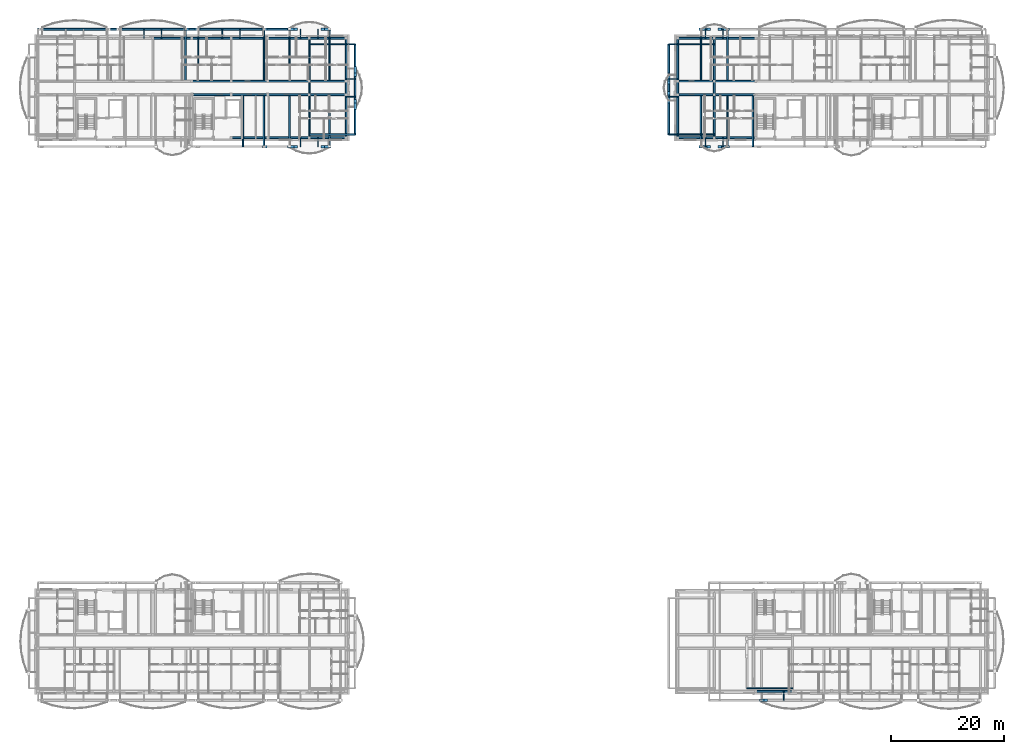
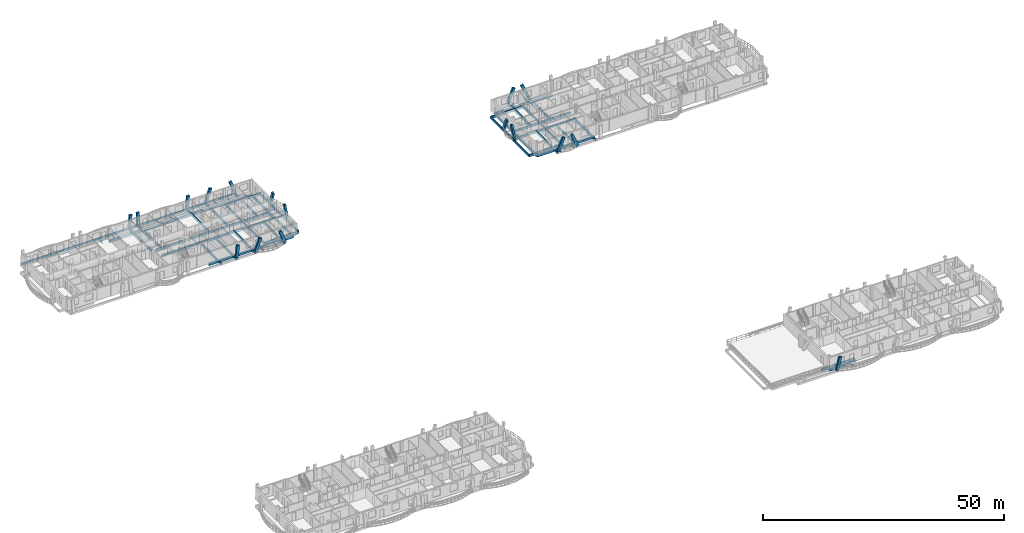
# One storey, part 5 of 48: 76 beams, 17 members.
"""IFC4 building model written with IfcOpenShell, lengths in metres."""

from ifc_helpers import new_model, si_unit, direction, frame, origin, origin_2d, place, context, subcontext, project, spatial, rectangle, i_section, extrude, material, material_profile, profile_set, type_object, element, save


model = new_model("IFC4")

# Units and contexts
model_context = context("Model", 3, precision=1e-05, world=origin(), true_north=direction((0.0, 1.0)))
body_context = subcontext(model_context, "Body", "Model", "MODEL_VIEW")
ifc_project = project(units=[si_unit("LENGTHUNIT", "METRE"), si_unit("AREAUNIT", "SQUARE_METRE"), si_unit("VOLUMEUNIT", "CUBIC_METRE"), si_unit("PLANEANGLEUNIT", "RADIAN"), si_unit("MASSUNIT", "GRAM", prefix="KILO")], contexts=[model_context])

# Site, building, storey
site_placement = place(None, origin())
site = spatial("IfcSite", under=ifc_project, at=site_placement, CompositionType="ELEMENT")
building_placement = place(site_placement, origin())
building = spatial("IfcBuilding", under=site, at=building_placement, Name="Zavelmont Quarter", CompositionType="ELEMENT")
storey_placement = place(building_placement, frame((0.0, 0.0, 17.60009765625)))
storey = spatial("IfcBuildingStorey", under=building, at=storey_placement, Name="L05", CompositionType="ELEMENT", Elevation=17.60009765625)

# Beams
ifc_material_1 = material(Name="Concrete C35/45", Category="concrete")
ifc_material_profile_1 = material_profile(ifc_material_1, rectangle(XDim=0.35009765625, YDim=0.60009765625, at=origin_2d()), Name="RC350X600")
ifc_profile_set_1 = profile_set([ifc_material_profile_1], Name="Concrete C35/45")
beam_type_1 = type_object("IfcBeamType", Name="BM01", PredefinedType="SPANDREL", material=ifc_profile_set_1)
beam_1_placement = place(storey_placement, frame((34.5, 98.0400390625, -0.56005859375), z_axis=(1.0, 0.0, 0.0), x_axis=(0.0, 1.0, 0.0)))
element("IfcBeam", 1, at=beam_1_placement, inside=storey, type_object=beam_type_1, Name="L05 beam BM01 6/P to 7/P", PredefinedType="SPANDREL", context=body_context, shape_type="SweptSolid", body=[
    extrude(rectangle(XDim=0.35009765625, YDim=0.60009765625, at=origin_2d()), origin(), (0.0, 0.0, 1.0), 6.4599609375),
])
beam_2_placement = place(storey_placement, frame((40.9599609375, 98.0400390625, -0.56005859375), z_axis=(1.0, 0.0, 0.0), x_axis=(0.0, 1.0, 0.0)))
element("IfcBeam", 2, at=beam_2_placement, inside=storey, type_object=beam_type_1, Name="L05 beam BM01 7/P to 8/P", PredefinedType="SPANDREL", context=body_context, shape_type="SweptSolid", body=[
    extrude(rectangle(XDim=0.35009765625, YDim=0.60009765625, at=origin_2d()), origin(), (0.0, 0.0, 1.0), 7.340087890625),
])
beam_3_placement = place(storey_placement, frame((48.300048828125, 98.0400390625, -0.56005859375), z_axis=(1.0, 0.0, 0.0), x_axis=(0.0, 1.0, 0.0)))
element("IfcBeam", 3, at=beam_3_placement, inside=storey, type_object=beam_type_1, Name="L05 beam BM01 8/P to 9/P", PredefinedType="SPANDREL", context=body_context, shape_type="SweptSolid", body=[
    extrude(rectangle(XDim=0.35009765625, YDim=0.60009765625, at=origin_2d()), origin(), (0.0, 0.0, 1.0), 6.4599609375),
])
beam_4_placement = place(storey_placement, frame((20.699951171875, 115.56005859375, -0.56005859375), z_axis=(1.0, 0.0, 0.0), x_axis=(0.0, 1.0, 0.0)))
element("IfcBeam", 4, at=beam_4_placement, inside=storey, type_object=beam_type_1, Name="L05 beam BM01 4/S to 5/S", PredefinedType="SPANDREL", context=body_context, shape_type="SweptSolid", body=[
    extrude(rectangle(XDim=0.35009765625, YDim=0.60009765625, at=origin_2d()), origin(), (0.0, 0.0, 1.0), 6.900146484375),
])
beam_5_placement = place(storey_placement, frame((27.60009765625, 115.56005859375, -0.56005859375), z_axis=(1.0, 0.0, 0.0), x_axis=(0.0, 1.0, 0.0)))
element("IfcBeam", 5, at=beam_5_placement, inside=storey, type_object=beam_type_1, Name="L05 beam BM01 5/S to 6/S", PredefinedType="SPANDREL", context=body_context, shape_type="SweptSolid", body=[
    extrude(rectangle(XDim=0.35009765625, YDim=0.60009765625, at=origin_2d()), origin(), (0.0, 0.0, 1.0), 6.89990234375),
])
beam_6_placement = place(storey_placement, frame((34.5, 115.56005859375, -0.56005859375), z_axis=(1.0, 0.0, 0.0), x_axis=(0.0, 1.0, 0.0)))
element("IfcBeam", 6, at=beam_6_placement, inside=storey, type_object=beam_type_1, Name="L05 beam BM01 6/S to 7/S", PredefinedType="SPANDREL", context=body_context, shape_type="SweptSolid", body=[
    extrude(rectangle(XDim=0.35009765625, YDim=0.60009765625, at=origin_2d()), origin(), (0.0, 0.0, 1.0), 6.4599609375),
])
beam_7_placement = place(storey_placement, frame((40.9599609375, 115.56005859375, -0.56005859375), z_axis=(1.0, 0.0, 0.0), x_axis=(0.0, 1.0, 0.0)))
element("IfcBeam", 7, at=beam_7_placement, inside=storey, type_object=beam_type_1, Name="L05 beam BM01 7/S to 8/S", PredefinedType="SPANDREL", context=body_context, shape_type="SweptSolid", body=[
    extrude(rectangle(XDim=0.35009765625, YDim=0.60009765625, at=origin_2d()), origin(), (0.0, 0.0, 1.0), 7.340087890625),
])
for number, where, z_axis, x_axis, name in (
    (8, (48.300048828125, 115.56005859375, -0.56005859375), (1.0, 0.0, 0.0), (0.0, 1.0, 0.0), "L05 beam BM01 8/S to 9/S"),
    (9, (113.239990234375, 98.0400390625, -0.56005859375), (1.0, 0.0, 0.0), (0.0, 1.0, 0.0), "L05 beam BM01 17/P to 18/P"),
):
    element("IfcBeam", number, at=place(storey_placement, frame(where, z_axis=z_axis, x_axis=x_axis)), inside=storey, type_object=beam_type_1, Name=name, PredefinedType="SPANDREL", context=body_context, shape_type="SweptSolid", body=[
        extrude(rectangle(XDim=0.35009765625, YDim=0.60009765625, at=origin_2d()), origin(), (0.0, 0.0, 1.0), 6.4599609375),
    ])
beam_8_placement = place(storey_placement, frame((119.699951171875, 98.0400390625, -0.56005859375), z_axis=(1.0, 0.0, 0.0), x_axis=(0.0, 1.0, 0.0)))
element("IfcBeam", 10, at=beam_8_placement, inside=storey, type_object=beam_type_1, Name="L05 beam BM01 18/P to 19/P", PredefinedType="SPANDREL", context=body_context, shape_type="SweptSolid", body=[
    extrude(rectangle(XDim=0.35009765625, YDim=0.60009765625, at=origin_2d()), origin(), (0.0, 0.0, 1.0), 7.340087890625),
])
beam_9_placement = place(storey_placement, frame((113.239990234375, 115.56005859375, -0.56005859375), z_axis=(1.0, 0.0, 0.0), x_axis=(0.0, 1.0, 0.0)))
element("IfcBeam", 11, at=beam_9_placement, inside=storey, type_object=beam_type_1, Name="L05 beam BM01 17/S to 18/S", PredefinedType="SPANDREL", context=body_context, shape_type="SweptSolid", body=[
    extrude(rectangle(XDim=0.35009765625, YDim=0.60009765625, at=origin_2d()), origin(), (0.0, 0.0, 1.0), 6.4599609375),
])
beam_10_placement = place(storey_placement, frame((119.699951171875, 115.56005859375, -0.56005859375), z_axis=(1.0, 0.0, 0.0), x_axis=(0.0, 1.0, 0.0)))
element("IfcBeam", 12, at=beam_10_placement, inside=storey, type_object=beam_type_1, Name="L05 beam BM01 18/S to 19/S", PredefinedType="SPANDREL", context=body_context, shape_type="SweptSolid", body=[
    extrude(rectangle(XDim=0.35009765625, YDim=0.60009765625, at=origin_2d()), origin(), (0.0, 0.0, 1.0), 7.340087890625),
])
beam_11_placement = place(storey_placement, frame((127.0400390625, 0.43994140625, -0.56005859375), z_axis=(1.0, 0.0, 0.0), x_axis=(0.0, 1.0, 0.0)))
element("IfcBeam", 13, at=beam_11_placement, inside=storey, type_object=beam_type_1, Name="L05 beam BM01 19/A to 20/A", PredefinedType="SPANDREL", context=body_context, shape_type="SweptSolid", body=[
    extrude(rectangle(XDim=0.35009765625, YDim=0.60009765625, at=origin_2d()), origin(), (0.0, 0.0, 1.0), 6.4599609375),
])
ifc_material_profile_2 = material_profile(ifc_material_1, rectangle(XDim=0.300048828125, YDim=0.550048828125, at=origin_2d()), Name="RC300X550")
ifc_profile_set_2 = profile_set([ifc_material_profile_2], Name="Concrete C35/45")
beam_type_2 = type_object("IfcBeamType", Name="BM02", PredefinedType="SPANDREL", material=ifc_profile_set_2)
beam_12_placement = place(storey_placement, frame((27.60009765625, 105.60009765625, -0.53515625), z_axis=(1.0, 0.0, 0.0), x_axis=(0.0, 1.0, 0.0)))
element("IfcBeam", 14, at=beam_12_placement, inside=storey, type_object=beam_type_2, Name="L05 beam BM02 5/Q to 6/Q", PredefinedType="SPANDREL", context=body_context, shape_type="SweptSolid", body=[
    extrude(rectangle(XDim=0.300048828125, YDim=0.550048828125, at=origin_2d()), origin(), (0.0, 0.0, 1.0), 6.89990234375),
])
beam_13_placement = place(storey_placement, frame((34.5, 105.60009765625, -0.53515625), z_axis=(1.0, 0.0, 0.0), x_axis=(0.0, 1.0, 0.0)))
element("IfcBeam", 15, at=beam_13_placement, inside=storey, type_object=beam_type_2, Name="L05 beam BM02 6/Q to 7/Q", PredefinedType="SPANDREL", context=body_context, shape_type="SweptSolid", body=[
    extrude(rectangle(XDim=0.300048828125, YDim=0.550048828125, at=origin_2d()), origin(), (0.0, 0.0, 1.0), 6.4599609375),
])
beam_14_placement = place(storey_placement, frame((40.9599609375, 105.60009765625, -0.53515625), z_axis=(1.0, 0.0, 0.0), x_axis=(0.0, 1.0, 0.0)))
element("IfcBeam", 16, at=beam_14_placement, inside=storey, type_object=beam_type_2, Name="L05 beam BM02 7/Q to 8/Q", PredefinedType="SPANDREL", context=body_context, shape_type="SweptSolid", body=[
    extrude(rectangle(XDim=0.300048828125, YDim=0.550048828125, at=origin_2d()), origin(), (0.0, 0.0, 1.0), 7.340087890625),
])
beam_15_placement = place(storey_placement, frame((48.300048828125, 105.60009765625, -0.53515625), z_axis=(1.0, 0.0, 0.0), x_axis=(0.0, 1.0, 0.0)))
element("IfcBeam", 17, at=beam_15_placement, inside=storey, type_object=beam_type_2, Name="L05 beam BM02 8/Q to 9/Q", PredefinedType="SPANDREL", context=body_context, shape_type="SweptSolid", body=[
    extrude(rectangle(XDim=0.300048828125, YDim=0.550048828125, at=origin_2d()), origin(), (0.0, 0.0, 1.0), 6.4599609375),
])
beam_16_placement = place(storey_placement, frame((27.60009765625, 108.0, -0.53515625), z_axis=(1.0, 0.0, 0.0), x_axis=(0.0, 1.0, 0.0)))
element("IfcBeam", 18, at=beam_16_placement, inside=storey, type_object=beam_type_2, Name="L05 beam BM02 5/R to 6/R", PredefinedType="SPANDREL", context=body_context, shape_type="SweptSolid", body=[
    extrude(rectangle(XDim=0.300048828125, YDim=0.550048828125, at=origin_2d()), origin(), (0.0, 0.0, 1.0), 6.89990234375),
])
beam_17_placement = place(storey_placement, frame((34.5, 108.0, -0.53515625), z_axis=(1.0, 0.0, 0.0), x_axis=(0.0, 1.0, 0.0)))
element("IfcBeam", 19, at=beam_17_placement, inside=storey, type_object=beam_type_2, Name="L05 beam BM02 6/R to 7/R", PredefinedType="SPANDREL", context=body_context, shape_type="SweptSolid", body=[
    extrude(rectangle(XDim=0.300048828125, YDim=0.550048828125, at=origin_2d()), origin(), (0.0, 0.0, 1.0), 6.4599609375),
])
beam_18_placement = place(storey_placement, frame((40.9599609375, 108.0, -0.53515625), z_axis=(1.0, 0.0, 0.0), x_axis=(0.0, 1.0, 0.0)))
element("IfcBeam", 20, at=beam_18_placement, inside=storey, type_object=beam_type_2, Name="L05 beam BM02 7/R to 8/R", PredefinedType="SPANDREL", context=body_context, shape_type="SweptSolid", body=[
    extrude(rectangle(XDim=0.300048828125, YDim=0.550048828125, at=origin_2d()), origin(), (0.0, 0.0, 1.0), 7.340087890625),
])
beam_19_placement = place(storey_placement, frame((48.300048828125, 108.0, -0.53515625), z_axis=(1.0, 0.0, 0.0), x_axis=(0.0, 1.0, 0.0)))
element("IfcBeam", 21, at=beam_19_placement, inside=storey, type_object=beam_type_2, Name="L05 beam BM02 8/R to 9/R", PredefinedType="SPANDREL", context=body_context, shape_type="SweptSolid", body=[
    extrude(rectangle(XDim=0.300048828125, YDim=0.550048828125, at=origin_2d()), origin(), (0.0, 0.0, 1.0), 6.4599609375),
])
beam_20_placement = place(storey_placement, frame((48.300048828125, 98.0400390625, -0.53515625), z_axis=(0.0, 1.0, 0.0), x_axis=(-1.0, 0.0, 0.0)))
element("IfcBeam", 22, at=beam_20_placement, inside=storey, type_object=beam_type_2, Name="L05 beam BM02 8/P to 8/Q", PredefinedType="SPANDREL", context=body_context, shape_type="SweptSolid", body=[
    extrude(rectangle(XDim=0.300048828125, YDim=0.550048828125, at=origin_2d()), origin(), (0.0, 0.0, 1.0), 7.56005859375),
])
beam_21_placement = place(storey_placement, frame((48.300048828125, 105.60009765625, -0.53515625), z_axis=(0.0, 1.0, 0.0), x_axis=(-1.0, 0.0, 0.0)))
element("IfcBeam", 23, at=beam_21_placement, inside=storey, type_object=beam_type_2, Name="L05 beam BM02 8/Q to 8/R", PredefinedType="SPANDREL", context=body_context, shape_type="SweptSolid", body=[
    extrude(rectangle(XDim=0.300048828125, YDim=0.550048828125, at=origin_2d()), origin(), (0.0, 0.0, 1.0), 2.39990234375),
])
for number, where, z_axis, x_axis, name in (
    (24, (48.300048828125, 108.0, -0.53515625), (0.0, 1.0, 0.0), (-1.0, 0.0, 0.0), "L05 beam BM02 8/R to 8/S"),
    (25, (54.760009765625, 98.0400390625, -0.53515625), (0.0, 1.0, 0.0), (-1.0, 0.0, 0.0), "L05 beam BM02 9/P to 9/Q"),
):
    element("IfcBeam", number, at=place(storey_placement, frame(where, z_axis=z_axis, x_axis=x_axis)), inside=storey, type_object=beam_type_2, Name=name, PredefinedType="SPANDREL", context=body_context, shape_type="SweptSolid", body=[
        extrude(rectangle(XDim=0.300048828125, YDim=0.550048828125, at=origin_2d()), origin(), (0.0, 0.0, 1.0), 7.56005859375),
    ])
beam_22_placement = place(storey_placement, frame((54.760009765625, 105.60009765625, -0.53515625), z_axis=(0.0, 1.0, 0.0), x_axis=(-1.0, 0.0, 0.0)))
element("IfcBeam", 26, at=beam_22_placement, inside=storey, type_object=beam_type_2, Name="L05 beam BM02 9/Q to 9/R", PredefinedType="SPANDREL", context=body_context, shape_type="SweptSolid", body=[
    extrude(rectangle(XDim=0.300048828125, YDim=0.550048828125, at=origin_2d()), origin(), (0.0, 0.0, 1.0), 2.39990234375),
])
beam_23_placement = place(storey_placement, frame((54.760009765625, 108.0, -0.53515625), z_axis=(0.0, 1.0, 0.0), x_axis=(-1.0, 0.0, 0.0)))
element("IfcBeam", 27, at=beam_23_placement, inside=storey, type_object=beam_type_2, Name="L05 beam BM02 9/R to 9/S", PredefinedType="SPANDREL", context=body_context, shape_type="SweptSolid", body=[
    extrude(rectangle(XDim=0.300048828125, YDim=0.550048828125, at=origin_2d()), origin(), (0.0, 0.0, 1.0), 7.56005859375),
])
beam_24_placement = place(storey_placement, frame((113.239990234375, 105.60009765625, -0.53515625), z_axis=(1.0, 0.0, 0.0), x_axis=(0.0, 1.0, 0.0)))
element("IfcBeam", 28, at=beam_24_placement, inside=storey, type_object=beam_type_2, Name="L05 beam BM02 17/Q to 18/Q", PredefinedType="SPANDREL", context=body_context, shape_type="SweptSolid", body=[
    extrude(rectangle(XDim=0.300048828125, YDim=0.550048828125, at=origin_2d()), origin(), (0.0, 0.0, 1.0), 6.4599609375),
])
beam_25_placement = place(storey_placement, frame((119.699951171875, 105.60009765625, -0.53515625), z_axis=(1.0, 0.0, 0.0), x_axis=(0.0, 1.0, 0.0)))
element("IfcBeam", 29, at=beam_25_placement, inside=storey, type_object=beam_type_2, Name="L05 beam BM02 18/Q to 19/Q", PredefinedType="SPANDREL", context=body_context, shape_type="SweptSolid", body=[
    extrude(rectangle(XDim=0.300048828125, YDim=0.550048828125, at=origin_2d()), origin(), (0.0, 0.0, 1.0), 7.340087890625),
])
beam_26_placement = place(storey_placement, frame((113.239990234375, 108.0, -0.53515625), z_axis=(1.0, 0.0, 0.0), x_axis=(0.0, 1.0, 0.0)))
element("IfcBeam", 30, at=beam_26_placement, inside=storey, type_object=beam_type_2, Name="L05 beam BM02 17/R to 18/R", PredefinedType="SPANDREL", context=body_context, shape_type="SweptSolid", body=[
    extrude(rectangle(XDim=0.300048828125, YDim=0.550048828125, at=origin_2d()), origin(), (0.0, 0.0, 1.0), 6.4599609375),
])
beam_27_placement = place(storey_placement, frame((119.699951171875, 108.0, -0.53515625), z_axis=(1.0, 0.0, 0.0), x_axis=(0.0, 1.0, 0.0)))
element("IfcBeam", 31, at=beam_27_placement, inside=storey, type_object=beam_type_2, Name="L05 beam BM02 18/R to 19/R", PredefinedType="SPANDREL", context=body_context, shape_type="SweptSolid", body=[
    extrude(rectangle(XDim=0.300048828125, YDim=0.550048828125, at=origin_2d()), origin(), (0.0, 0.0, 1.0), 7.340087890625),
])
beam_28_placement = place(storey_placement, frame((113.239990234375, 98.0400390625, -0.53515625), z_axis=(0.0, 1.0, 0.0), x_axis=(-1.0, 0.0, 0.0)))
element("IfcBeam", 32, at=beam_28_placement, inside=storey, type_object=beam_type_2, Name="L05 beam BM02 17/P to 17/Q", PredefinedType="SPANDREL", context=body_context, shape_type="SweptSolid", body=[
    extrude(rectangle(XDim=0.300048828125, YDim=0.550048828125, at=origin_2d()), origin(), (0.0, 0.0, 1.0), 7.56005859375),
])
beam_29_placement = place(storey_placement, frame((113.239990234375, 105.60009765625, -0.53515625), z_axis=(0.0, 1.0, 0.0), x_axis=(-1.0, 0.0, 0.0)))
element("IfcBeam", 33, at=beam_29_placement, inside=storey, type_object=beam_type_2, Name="L05 beam BM02 17/Q to 17/R", PredefinedType="SPANDREL", context=body_context, shape_type="SweptSolid", body=[
    extrude(rectangle(XDim=0.300048828125, YDim=0.550048828125, at=origin_2d()), origin(), (0.0, 0.0, 1.0), 2.39990234375),
])
for number, where, z_axis, x_axis, name in (
    (34, (113.239990234375, 108.0, -0.53515625), (0.0, 1.0, 0.0), (-1.0, 0.0, 0.0), "L05 beam BM02 17/R to 17/S"),
    (35, (119.699951171875, 98.0400390625, -0.53515625), (0.0, 1.0, 0.0), (-1.0, 0.0, 0.0), "L05 beam BM02 18/P to 18/Q"),
):
    element("IfcBeam", number, at=place(storey_placement, frame(where, z_axis=z_axis, x_axis=x_axis)), inside=storey, type_object=beam_type_2, Name=name, PredefinedType="SPANDREL", context=body_context, shape_type="SweptSolid", body=[
        extrude(rectangle(XDim=0.300048828125, YDim=0.550048828125, at=origin_2d()), origin(), (0.0, 0.0, 1.0), 7.56005859375),
    ])
beam_30_placement = place(storey_placement, frame((119.699951171875, 105.60009765625, -0.53515625), z_axis=(0.0, 1.0, 0.0), x_axis=(-1.0, 0.0, 0.0)))
element("IfcBeam", 36, at=beam_30_placement, inside=storey, type_object=beam_type_2, Name="L05 beam BM02 18/Q to 18/R", PredefinedType="SPANDREL", context=body_context, shape_type="SweptSolid", body=[
    extrude(rectangle(XDim=0.300048828125, YDim=0.550048828125, at=origin_2d()), origin(), (0.0, 0.0, 1.0), 2.39990234375),
])
beam_31_placement = place(storey_placement, frame((119.699951171875, 108.0, -0.53515625), z_axis=(0.0, 1.0, 0.0), x_axis=(-1.0, 0.0, 0.0)))
element("IfcBeam", 37, at=beam_31_placement, inside=storey, type_object=beam_type_2, Name="L05 beam BM02 18/R to 18/S", PredefinedType="SPANDREL", context=body_context, shape_type="SweptSolid", body=[
    extrude(rectangle(XDim=0.300048828125, YDim=0.550048828125, at=origin_2d()), origin(), (0.0, 0.0, 1.0), 7.56005859375),
])
ifc_material_profile_3 = material_profile(ifc_material_1, rectangle(XDim=0.300048828125, YDim=0.5, at=origin_2d()), Name="RC300X500")
ifc_profile_set_3 = profile_set([ifc_material_profile_3], Name="Concrete C35/45")
beam_type_3 = type_object("IfcBeamType", Name="BM03", PredefinedType="BEAM", material=ifc_profile_set_3)
beam_32_placement = place(storey_placement, frame((0.43994140625, 117.14990234375, -0.25), z_axis=(1.0, 0.0, 0.0), x_axis=(0.0, 1.0, 0.0)))
element("IfcBeam", 38, at=beam_32_placement, inside=storey, type_object=beam_type_3, Name="L05 beam BM03 1/S to 9/S", PredefinedType="BEAM", context=body_context, shape_type="SweptSolid", body=[
    extrude(rectangle(XDim=0.300048828125, YDim=0.5, at=origin_2d()), origin(), (0.0, 0.0, 1.0), 51.39404296875),
])
for number, where, z_axis, x_axis, name in (
    (39, (56.35009765625, 98.550048828125, -0.25), (0.0, 1.0, 0.0), (-1.0, 0.0, 0.0), "L05 beam BM03 9/P to 9/S"),
    (40, (111.64990234375, 98.550048828125, -0.25), (0.0, 1.0, 0.0), (-1.0, 0.0, 0.0), "L05 beam BM03 17/P to 17/S"),
):
    element("IfcBeam", number, at=place(storey_placement, frame(where, z_axis=z_axis, x_axis=x_axis)), inside=storey, type_object=beam_type_3, Name=name, PredefinedType="BEAM", context=body_context, shape_type="SweptSolid", body=[
        extrude(rectangle(XDim=0.300048828125, YDim=0.5, at=origin_2d()), origin(), (0.0, 0.0, 1.0), 15.949951171875),
    ])
ifc_material_2 = material(Name="Steel S355", Category="steel")
ifc_material_profile_4 = material_profile(ifc_material_2, i_section(OverallWidth=0.110107421875, OverallDepth=0.219970703125, WebThickness=0.005859375, FlangeThickness=0.00927734375, at=origin_2d()), Name="IPE 220")
ifc_profile_set_4 = profile_set([ifc_material_profile_4], Name="Steel S355")
beam_type_4 = type_object("IfcBeamType", Name="BM15", PredefinedType="JOIST", material=ifc_profile_set_4)
for number, where, z_axis, x_axis, name in (
    (41, (19.14990234375, 115.56005859375, -0.3720703125), (0.0, 1.0, 0.0), (-1.0, 0.0, 0.0), "L05 beam BM15 4/S to 4/S"),
    (42, (22.25, 115.56005859375, -0.3720703125), (0.0, 1.0, 0.0), (-1.0, 0.0, 0.0), "L05 beam BM15 4/S to 4/S"),
    (43, (32.949951171875, 115.56005859375, -0.3720703125), (0.0, 1.0, 0.0), (-1.0, 0.0, 0.0), "L05 beam BM15 6/S to 6/S"),
    (44, (36.050048828125, 115.56005859375, -0.3720703125), (0.0, 1.0, 0.0), (-1.0, 0.0, 0.0), "L05 beam BM15 6/S to 6/S"),
    (45, (46.75, 115.56005859375, -0.3720703125), (0.0, 1.0, 0.0), (-1.0, 0.0, 0.0), "L05 beam BM15 8/S to 8/S"),
    (46, (49.85009765625, 115.56005859375, -0.3720703125), (0.0, 1.0, 0.0), (-1.0, 0.0, 0.0), "L05 beam BM15 8/S to 8/S"),
):
    element("IfcBeam", number, at=place(storey_placement, frame(where, z_axis=z_axis, x_axis=x_axis)), inside=storey, type_object=beam_type_4, Name=name, PredefinedType="JOIST", context=body_context, shape_type="SweptSolid", body=[
        extrude(i_section(OverallWidth=0.110107421875, OverallDepth=0.219970703125, WebThickness=0.005859375, FlangeThickness=0.00927734375, at=origin_2d()), origin(), (0.0, 0.0, 1.0), 1.58984375),
    ])
for number, where, z_axis, x_axis, name in (
    (47, (54.760009765625, 105.25, -0.3720703125), (1.0, 0.0, 0.0), (0.0, 1.0, 0.0), "L05 beam BM15 9/Q to 9/Q"),
    (48, (54.760009765625, 108.35009765625, -0.3720703125), (1.0, 0.0, 0.0), (0.0, 1.0, 0.0), "L05 beam BM15 9/R to 9/R"),
    (49, (46.75, 98.0400390625, -0.3720703125), (0.0, -1.0, 0.0), (1.0, 0.0, 0.0), "L05 beam BM15 8/P to 8/P"),
    (50, (49.85009765625, 98.0400390625, -0.3720703125), (0.0, -1.0, 0.0), (1.0, 0.0, 0.0), "L05 beam BM15 8/P to 8/P"),
):
    element("IfcBeam", number, at=place(storey_placement, frame(where, z_axis=z_axis, x_axis=x_axis)), inside=storey, type_object=beam_type_4, Name=name, PredefinedType="JOIST", context=body_context, shape_type="SweptSolid", body=[
        extrude(i_section(OverallWidth=0.110107421875, OverallDepth=0.219970703125, WebThickness=0.005859375, FlangeThickness=0.00927734375, at=origin_2d()), origin(), (0.0, 0.0, 1.0), 1.590087890625),
    ])
for number, where, z_axis, x_axis, name in (
    (51, (118.14990234375, 115.56005859375, -0.3720703125), (0.0, 1.0, 0.0), (-1.0, 0.0, 0.0), "L05 beam BM15 18/S to 18/S"),
    (52, (121.25, 115.56005859375, -0.3720703125), (0.0, 1.0, 0.0), (-1.0, 0.0, 0.0), "L05 beam BM15 18/S to 18/S"),
):
    element("IfcBeam", number, at=place(storey_placement, frame(where, z_axis=z_axis, x_axis=x_axis)), inside=storey, type_object=beam_type_4, Name=name, PredefinedType="JOIST", context=body_context, shape_type="SweptSolid", body=[
        extrude(i_section(OverallWidth=0.110107421875, OverallDepth=0.219970703125, WebThickness=0.005859375, FlangeThickness=0.00927734375, at=origin_2d()), origin(), (0.0, 0.0, 1.0), 1.58984375),
    ])
for number, where, z_axis, x_axis, name in (
    (53, (113.239990234375, 105.25, -0.3720703125), (-1.0, 0.0, 0.0), (0.0, -1.0, 0.0), "L05 beam BM15 17/Q to 17/Q"),
    (54, (113.239990234375, 108.35009765625, -0.3720703125), (-1.0, 0.0, 0.0), (0.0, -1.0, 0.0), "L05 beam BM15 17/R to 17/R"),
    (55, (118.14990234375, 98.0400390625, -0.3720703125), (0.0, -1.0, 0.0), (1.0, 0.0, 0.0), "L05 beam BM15 18/P to 18/P"),
    (56, (121.25, 98.0400390625, -0.3720703125), (0.0, -1.0, 0.0), (1.0, 0.0, 0.0), "L05 beam BM15 18/P to 18/P"),
):
    element("IfcBeam", number, at=place(storey_placement, frame(where, z_axis=z_axis, x_axis=x_axis)), inside=storey, type_object=beam_type_4, Name=name, PredefinedType="JOIST", context=body_context, shape_type="SweptSolid", body=[
        extrude(i_section(OverallWidth=0.110107421875, OverallDepth=0.219970703125, WebThickness=0.005859375, FlangeThickness=0.00927734375, at=origin_2d()), origin(), (0.0, 0.0, 1.0), 1.590087890625),
    ])
beam_33_placement = place(storey_placement, frame((131.949951171875, 0.43994140625, -0.3720703125), z_axis=(0.0, -1.0, 0.0), x_axis=(1.0, 0.0, 0.0)))
element("IfcBeam", 57, at=beam_33_placement, inside=storey, type_object=beam_type_4, Name="L05 beam BM15 20/A to 20/A", PredefinedType="JOIST", context=body_context, shape_type="SweptSolid", body=[
    extrude(i_section(OverallWidth=0.110107421875, OverallDepth=0.219970703125, WebThickness=0.005859375, FlangeThickness=0.00927734375, at=origin_2d()), origin(), (0.0, 0.0, 1.0), 1.58984375),
])
ifc_material_3 = material(Name="Concrete C40/50", Category="concrete")
ifc_material_profile_5 = material_profile(ifc_material_3, rectangle(XDim=0.25, YDim=0.60009765625, at=origin_2d()), Name="RC250X600")
ifc_profile_set_5 = profile_set([ifc_material_profile_5], Name="Concrete C40/50")
beam_type_5 = type_object("IfcBeamType", Name="BM18", PredefinedType="BEAM", material=ifc_profile_set_5)
for number, where, z_axis, x_axis, name in (
    (58, (26.490478515625, 108.0, -0.300048828125), (0.0, 1.0, 0.0), (-1.0, 0.0, 0.0), "L05 beam BM18 5/R to 5/S"),
    (59, (28.70947265625, 108.0, -0.300048828125), (0.0, 1.0, 0.0), (-1.0, 0.0, 0.0), "L05 beam BM18 5/R to 5/S"),
    (60, (40.29052734375, 108.0, -0.300048828125), (0.0, 1.0, 0.0), (-1.0, 0.0, 0.0), "L05 beam BM18 7/R to 7/S"),
    (61, (44.766357421875, 108.0, -0.300048828125), (0.0, 1.0, 0.0), (-1.0, 0.0, 0.0), "L05 beam BM18 7/R to 7/S"),
    (62, (51.833740234375, 108.0, -0.300048828125), (0.0, 1.0, 0.0), (-1.0, 0.0, 0.0), "L05 beam BM18 9/R to 9/S"),
):
    element("IfcBeam", number, at=place(storey_placement, frame(where, z_axis=z_axis, x_axis=x_axis)), inside=storey, type_object=beam_type_5, Name=name, PredefinedType="BEAM", context=body_context, shape_type="SweptSolid", body=[
        extrude(rectangle(XDim=0.25, YDim=0.60009765625, at=origin_2d()), origin(), (0.0, 0.0, 1.0), 9.14990234375),
    ])
for number, where, z_axis, x_axis, name in (
    (63, (36.625, 105.60009765625, -0.300048828125), (0.0, -1.0, 0.0), (1.0, 0.0, 0.0), "L05 beam BM18 6/Q to 6/P"),
    (64, (40.29052734375, 105.60009765625, -0.300048828125), (0.0, -1.0, 0.0), (1.0, 0.0, 0.0), "L05 beam BM18 7/Q to 7/P"),
    (65, (44.766357421875, 105.60009765625, -0.300048828125), (0.0, -1.0, 0.0), (1.0, 0.0, 0.0), "L05 beam BM18 7/Q to 7/P"),
    (66, (51.833740234375, 105.60009765625, -0.300048828125), (0.0, -1.0, 0.0), (1.0, 0.0, 0.0), "L05 beam BM18 9/Q to 9/P"),
):
    element("IfcBeam", number, at=place(storey_placement, frame(where, z_axis=z_axis, x_axis=x_axis)), inside=storey, type_object=beam_type_5, Name=name, PredefinedType="BEAM", context=body_context, shape_type="SweptSolid", body=[
        extrude(rectangle(XDim=0.25, YDim=0.60009765625, at=origin_2d()), origin(), (0.0, 0.0, 1.0), 9.150146484375),
    ])
for number, where, z_axis, x_axis, name in (
    (67, (48.300048828125, 98.550048828125, -0.300048828125), (1.0, 0.0, 0.0), (0.0, 1.0, 0.0), "L05 beam BM18 8/P to 9/P"),
    (68, (48.300048828125, 114.5, -0.300048828125), (1.0, 0.0, 0.0), (0.0, 1.0, 0.0), "L05 beam BM18 8/S to 9/S"),
):
    element("IfcBeam", number, at=place(storey_placement, frame(where, z_axis=z_axis, x_axis=x_axis)), inside=storey, type_object=beam_type_5, Name=name, PredefinedType="BEAM", context=body_context, shape_type="SweptSolid", body=[
        extrude(rectangle(XDim=0.25, YDim=0.60009765625, at=origin_2d()), origin(), (0.0, 0.0, 1.0), 8.050048828125),
    ])
for number, where, z_axis, x_axis, name in (
    (69, (117.34130859375, 108.0, -0.300048828125), (0.0, 1.0, 0.0), (-1.0, 0.0, 0.0), "L05 beam BM18 18/R to 18/S"),
    (70, (122.05859375, 108.0, -0.300048828125), (0.0, 1.0, 0.0), (-1.0, 0.0, 0.0), "L05 beam BM18 18/R to 18/S"),
):
    element("IfcBeam", number, at=place(storey_placement, frame(where, z_axis=z_axis, x_axis=x_axis)), inside=storey, type_object=beam_type_5, Name=name, PredefinedType="BEAM", context=body_context, shape_type="SweptSolid", body=[
        extrude(rectangle(XDim=0.25, YDim=0.60009765625, at=origin_2d()), origin(), (0.0, 0.0, 1.0), 9.14990234375),
    ])
for number, where, z_axis, x_axis, name in (
    (71, (117.34130859375, 105.60009765625, -0.300048828125), (0.0, -1.0, 0.0), (1.0, 0.0, 0.0), "L05 beam BM18 18/Q to 18/P"),
    (72, (122.05859375, 105.60009765625, -0.300048828125), (0.0, -1.0, 0.0), (1.0, 0.0, 0.0), "L05 beam BM18 18/Q to 18/P"),
    (73, (126.5, 105.60009765625, -0.300048828125), (0.0, -1.0, 0.0), (1.0, 0.0, 0.0), "L05 beam BM18 19/Q to 19/P"),
):
    element("IfcBeam", number, at=place(storey_placement, frame(where, z_axis=z_axis, x_axis=x_axis)), inside=storey, type_object=beam_type_5, Name=name, PredefinedType="BEAM", context=body_context, shape_type="SweptSolid", body=[
        extrude(rectangle(XDim=0.25, YDim=0.60009765625, at=origin_2d()), origin(), (0.0, 0.0, 1.0), 9.150146484375),
    ])
for number, where, z_axis, x_axis, name in (
    (74, (119.699951171875, 98.550048828125, -0.300048828125), (-1.0, 0.0, 0.0), (0.0, -1.0, 0.0), "L05 beam BM18 18/P to 17/P"),
    (75, (119.699951171875, 114.5, -0.300048828125), (-1.0, 0.0, 0.0), (0.0, -1.0, 0.0), "L05 beam BM18 18/S to 17/S"),
    (76, (133.5, 0.949951171875, -0.300048828125), (-1.0, 0.0, 0.0), (0.0, -1.0, 0.0), "L05 beam BM18 20/A to 19/A"),
):
    element("IfcBeam", number, at=place(storey_placement, frame(where, z_axis=z_axis, x_axis=x_axis)), inside=storey, type_object=beam_type_5, Name=name, PredefinedType="BEAM", context=body_context, shape_type="SweptSolid", body=[
        extrude(rectangle(XDim=0.25, YDim=0.60009765625, at=origin_2d()), origin(), (0.0, 0.0, 1.0), 8.050048828125),
    ])

# Members
ifc_material_4 = material(Name="White architectural precast concrete C40/50", Category="concrete")
ifc_material_profile_6 = material_profile(ifc_material_4, rectangle(XDim=0.43994140625, YDim=0.659912109375, at=origin_2d()), Name="PCR320X480")
ifc_profile_set_6 = profile_set([ifc_material_profile_6], Name="White architectural precast concrete C40/50")
member_type = type_object("IfcMemberType", Name="VR01M", PredefinedType="CHORD", material=ifc_profile_set_6)
for number, where, z_axis, x_axis, name in (
    (77, (26.490478515625, 117.14990234375, 0.0), (0.079476189747, 0.0, 0.996836764603), (0.0, 1.0, 0.0), "L05 member VR01M 5/S to 5/S"),
    (78, (28.70947265625, 117.14990234375, 0.0), (-0.079476189747, 0.0, 0.996836764603), (0.0, -1.0, 0.0), "L05 member VR01M 5/S to 5/S"),
    (79, (40.29052734375, 117.14990234375, 0.0), (0.079476189747, 0.0, 0.996836764603), (0.0, 1.0, 0.0), "L05 member VR01M 7/S to 7/S"),
):
    element("IfcMember", number, at=place(storey_placement, frame(where, z_axis=z_axis, x_axis=x_axis)), inside=storey, type_object=member_type, Name=name, PredefinedType="CHORD", context=body_context, shape_type="SweptSolid", body=[
        extrude(rectangle(XDim=0.43994140625, YDim=0.659912109375, at=origin_2d()), origin(), (0.0, 0.0, 1.0), 3.210205078125),
    ])
for number, where, z_axis, x_axis, name in (
    (80, (44.766357421875, 117.14990234375, 0.0), (0.342933951062, 0.0, 0.939359518613), (0.0, 1.0, 0.0), "L05 member VR01M 7/S to 8/S"),
    (81, (51.833740234375, 117.14990234375, 0.0), (-0.342933951062, 0.0, 0.939359518613), (0.0, -1.0, 0.0), "L05 member VR01M 9/S to 8/S"),
):
    element("IfcMember", number, at=place(storey_placement, frame(where, z_axis=z_axis, x_axis=x_axis)), inside=storey, type_object=member_type, Name=name, PredefinedType="CHORD", context=body_context, shape_type="SweptSolid", body=[
        extrude(rectangle(XDim=0.43994140625, YDim=0.659912109375, at=origin_2d()), origin(), (0.0, 0.0, 1.0), 3.406494140625),
    ])
member_1_placement = place(storey_placement, frame((40.29052734375, 96.449951171875, 0.0), z_axis=(0.079476189747, 0.0, 0.996836764603), x_axis=(0.0, 1.0, 0.0)))
element("IfcMember", 82, at=member_1_placement, inside=storey, type_object=member_type, Name="L05 member VR01M 7/P to 7/P", PredefinedType="CHORD", context=body_context, shape_type="SweptSolid", body=[
    extrude(rectangle(XDim=0.43994140625, YDim=0.659912109375, at=origin_2d()), origin(), (0.0, 0.0, 1.0), 3.210205078125),
])
for number, where, z_axis, x_axis, name in (
    (83, (44.766357421875, 96.449951171875, 0.0), (0.342933951062, 0.0, 0.939359518613), (0.0, 1.0, 0.0), "L05 member VR01M 7/P to 8/P"),
    (84, (51.833740234375, 96.449951171875, 0.0), (-0.342933951062, 0.0, 0.939359518613), (0.0, -1.0, 0.0), "L05 member VR01M 9/P to 8/P"),
):
    element("IfcMember", number, at=place(storey_placement, frame(where, z_axis=z_axis, x_axis=x_axis)), inside=storey, type_object=member_type, Name=name, PredefinedType="CHORD", context=body_context, shape_type="SweptSolid", body=[
        extrude(rectangle(XDim=0.43994140625, YDim=0.659912109375, at=origin_2d()), origin(), (0.0, 0.0, 1.0), 3.406494140625),
    ])
for number, where, z_axis, x_axis, name in (
    (85, (56.35009765625, 103.31298828125, 0.0), (0.0, 0.337159850872, 0.941447414867), (-1.0, 0.0, 0.0), "L05 member VR01M 9/Q to 9/Q"),
    (86, (56.35009765625, 110.287109375, 0.0), (0.0, -0.337159850872, 0.941447414867), (1.0, 0.0, 0.0), "L05 member VR01M 9/R to 9/R"),
):
    element("IfcMember", number, at=place(storey_placement, frame(where, z_axis=z_axis, x_axis=x_axis)), inside=storey, type_object=member_type, Name=name, PredefinedType="CHORD", context=body_context, shape_type="SweptSolid", body=[
        extrude(rectangle(XDim=0.43994140625, YDim=0.659912109375, at=origin_2d()), origin(), (0.0, 0.0, 1.0), 3.39892578125),
    ])
for number, where, z_axis, x_axis, name in (
    (87, (117.34130859375, 117.14990234375, 0.0), (0.402909433918, 0.0, 0.915239852749), (0.0, 1.0, 0.0), "L05 member VR01M 18/S to 18/S"),
    (88, (122.05859375, 117.14990234375, 0.0), (-0.402909433918, 0.0, 0.915239852749), (0.0, -1.0, 0.0), "L05 member VR01M 18/S to 18/S"),
    (89, (117.34130859375, 96.449951171875, 0.0), (0.402909433918, 0.0, 0.915239852749), (0.0, 1.0, 0.0), "L05 member VR01M 18/P to 18/P"),
    (90, (122.05859375, 96.449951171875, 0.0), (-0.402909433918, 0.0, 0.915239852749), (0.0, -1.0, 0.0), "L05 member VR01M 18/P to 18/P"),
    (91, (111.64990234375, 104.44140625, 0.0), (0.0, 0.402909433918, 0.915239852749), (-1.0, 0.0, 0.0), "L05 member VR01M 17/Q to 17/Q"),
    (92, (111.64990234375, 109.15869140625, 0.0), (0.0, -0.402909433918, 0.915239852749), (1.0, 0.0, 0.0), "L05 member VR01M 17/R to 17/R"),
):
    element("IfcMember", number, at=place(storey_placement, frame(where, z_axis=z_axis, x_axis=x_axis)), inside=storey, type_object=member_type, Name=name, PredefinedType="CHORD", context=body_context, shape_type="SweptSolid", body=[
        extrude(rectangle(XDim=0.43994140625, YDim=0.659912109375, at=origin_2d()), origin(), (0.0, 0.0, 1.0), 3.496337890625),
    ])
member_2_placement = place(storey_placement, frame((127.992919921875, -1.14990234375, 0.0), z_axis=(0.240391712441, 0.0, 0.970675962713), x_axis=(0.0, 1.0, 0.0)))
element("IfcMember", 93, at=member_2_placement, inside=storey, type_object=member_type, Name="L05 member VR01M 19/A to 19/A", PredefinedType="CHORD", context=body_context, shape_type="SweptSolid", body=[
    extrude(rectangle(XDim=0.43994140625, YDim=0.659912109375, at=origin_2d()), origin(), (0.0, 0.0, 1.0), 3.296630859375),
])

save(model, "model.ifc")
